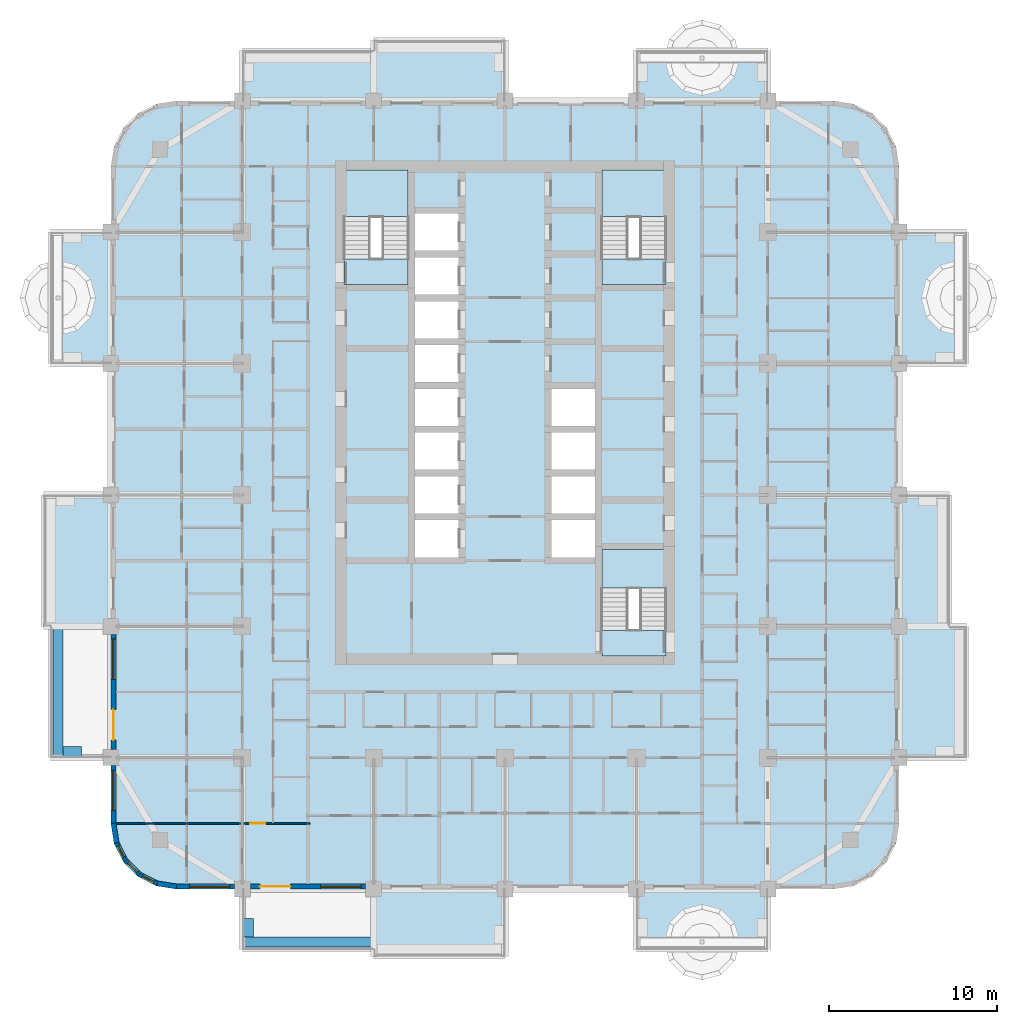
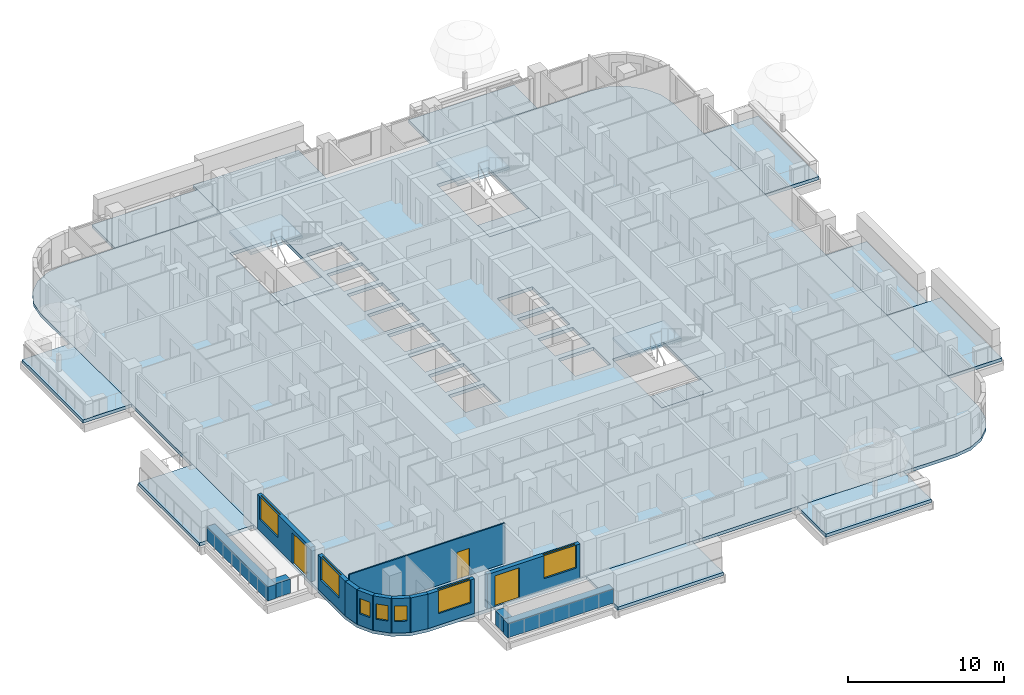
# One storey, part 2 of 19: 17 slabs, 14 walls, 7 windows, 3 doors, 10 openings, 3 elements without a shape of their own.
"""IFC4 building model written with IfcOpenShell, lengths in metres."""

from ifc_helpers import new_model, si_unit, direction, frame, frame_2d, origin, place, context, subcontext, project, spatial, polyline, rectangle, outline, extrude, material, layer, layer_set, type_object, element, fill, aggregate, save


model = new_model("IFC4")

# Units and contexts
model_context = context("Model", 3, precision=1e-05, world=origin(), true_north=direction((0.0, 1.0)))
body_context = subcontext(model_context, "Body", "Model", "MODEL_VIEW")
ifc_project = project(units=[si_unit("LENGTHUNIT", "METRE"), si_unit("AREAUNIT", "SQUARE_METRE"), si_unit("VOLUMEUNIT", "CUBIC_METRE"), si_unit("PLANEANGLEUNIT", "RADIAN"), si_unit("MASSUNIT", "GRAM", prefix="KILO")], contexts=[model_context])

# Site, building, storey
site_placement = place(None, origin())
site = spatial("IfcSite", under=ifc_project, at=site_placement, CompositionType="ELEMENT")
building_placement = place(site_placement, origin())
building = spatial("IfcBuilding", under=site, at=building_placement, Name="Ludao Terraces", CompositionType="ELEMENT")
storey_placement = place(building_placement, frame((0.0, 0.0, 68.199951171875)))
storey = spatial("IfcBuildingStorey", under=building, at=storey_placement, Name="L18", CompositionType="ELEMENT", Elevation=68.199951171875)

# Slabs
ifc_material_1 = material(Name="Concrete C40", Category="concrete")
ifc_layer_1 = layer(ifc_material_1, 0.25)
ifc_layer_set_1 = layer_set([ifc_layer_1], Name="Balcony slab 250 C40")
slab_type_1 = type_object("IfcSlabType", Name="Balcony slab 250 C40", PredefinedType="USERDEFINED", material=ifc_layer_set_1)
slab_1_placement = place(storey_placement, frame((0.0, 0.0, -0.25)))
element("IfcSlab", 1, at=slab_1_placement, inside=storey, type_object=slab_type_1, Name="Balcony L18 S2", ObjectType="BALCONY", PredefinedType="USERDEFINED", context=body_context, shape_type="SweptSolid", body=[
    extrude(outline(polyline([(77.199951171875, 37.60009765625), (85.0, 37.60009765625), (85.0, 41.60009765625), (77.199951171875, 41.60009765625), (77.199951171875, 37.60009765625)])), origin(), (0.0, 0.0, 1.0), 0.25),
])
slab_2_placement = place(storey_placement, frame((0.0, 0.0, -0.25)))
element("IfcSlab", 2, at=slab_2_placement, inside=storey, type_object=slab_type_1, Name="Balcony L18 S4", ObjectType="BALCONY", PredefinedType="USERDEFINED", context=body_context, shape_type="SweptSolid", body=[
    extrude(outline(polyline([(92.800048828125, 38.0), (100.60009765625, 38.0), (100.60009765625, 41.60009765625), (92.800048828125, 41.60009765625), (92.800048828125, 38.0)])), origin(), (0.0, 0.0, 1.0), 0.25),
])
slab_3_placement = place(storey_placement, frame((0.0, 0.0, -0.25)))
element("IfcSlab", 3, at=slab_3_placement, inside=storey, type_object=slab_type_1, Name="Balcony L18 E1", ObjectType="BALCONY", PredefinedType="USERDEFINED", context=body_context, shape_type="SweptSolid", body=[
    extrude(outline(polyline([(108.39990234375, 49.39990234375), (112.39990234375, 49.39990234375), (112.39990234375, 57.199951171875), (108.39990234375, 57.199951171875), (108.39990234375, 49.39990234375)])), origin(), (0.0, 0.0, 1.0), 0.25),
])
slab_4_placement = place(storey_placement, frame((0.0, 0.0, -0.25)))
element("IfcSlab", 4, at=slab_4_placement, inside=storey, type_object=slab_type_1, Name="Balcony L18 E2", ObjectType="BALCONY", PredefinedType="USERDEFINED", context=body_context, shape_type="SweptSolid", body=[
    extrude(outline(polyline([(108.39990234375, 57.199951171875), (111.39990234375, 57.199951171875), (111.39990234375, 65.0), (108.39990234375, 65.0), (108.39990234375, 57.199951171875)])), origin(), (0.0, 0.0, 1.0), 0.25),
])
slab_5_placement = place(storey_placement, frame((0.0, 0.0, -0.25)))
element("IfcSlab", 5, at=slab_5_placement, inside=storey, type_object=slab_type_1, Name="Balcony L18 E4", ObjectType="BALCONY", PredefinedType="USERDEFINED", context=body_context, shape_type="SweptSolid", body=[
    extrude(outline(polyline([(108.39990234375, 72.800048828125), (112.39990234375, 72.800048828125), (112.39990234375, 80.60009765625), (108.39990234375, 80.60009765625), (108.39990234375, 72.800048828125)])), origin(), (0.0, 0.0, 1.0), 0.25),
])
slab_6_placement = place(storey_placement, frame((0.0, 0.0, -0.25)))
element("IfcSlab", 6, at=slab_6_placement, inside=storey, type_object=slab_type_1, Name="Balcony L18 N1", ObjectType="BALCONY", PredefinedType="USERDEFINED", context=body_context, shape_type="SweptSolid", body=[
    extrude(outline(polyline([(69.39990234375, 88.39990234375), (77.199951171875, 88.39990234375), (77.199951171875, 91.39990234375), (69.39990234375, 91.39990234375), (69.39990234375, 88.39990234375)])), origin(), (0.0, 0.0, 1.0), 0.25),
])
slab_7_placement = place(storey_placement, frame((0.0, 0.0, -0.25)))
element("IfcSlab", 7, at=slab_7_placement, inside=storey, type_object=slab_type_1, Name="Balcony L18 N2", ObjectType="BALCONY", PredefinedType="USERDEFINED", context=body_context, shape_type="SweptSolid", body=[
    extrude(outline(polyline([(77.199951171875, 88.39990234375), (85.0, 88.39990234375), (85.0, 92.0), (77.199951171875, 92.0), (77.199951171875, 88.39990234375)])), origin(), (0.0, 0.0, 1.0), 0.25),
])
slab_8_placement = place(storey_placement, frame((0.0, 0.0, -0.25)))
element("IfcSlab", 8, at=slab_8_placement, inside=storey, type_object=slab_type_1, Name="Balcony L18 N4", ObjectType="BALCONY", PredefinedType="USERDEFINED", context=body_context, shape_type="SweptSolid", body=[
    extrude(outline(polyline([(92.800048828125, 88.39990234375), (100.60009765625, 88.39990234375), (100.60009765625, 91.39990234375), (92.800048828125, 91.39990234375), (92.800048828125, 88.39990234375)])), origin(), (0.0, 0.0, 1.0), 0.25),
])
slab_9_placement = place(storey_placement, frame((0.0, 0.0, -0.25)))
element("IfcSlab", 9, at=slab_9_placement, inside=storey, type_object=slab_type_1, Name="Balcony L18 W2", ObjectType="BALCONY", PredefinedType="USERDEFINED", context=body_context, shape_type="SweptSolid", body=[
    extrude(outline(polyline([(57.60009765625, 57.199951171875), (61.60009765625, 57.199951171875), (61.60009765625, 65.0), (57.60009765625, 65.0), (57.60009765625, 57.199951171875)])), origin(), (0.0, 0.0, 1.0), 0.25),
])
slab_10_placement = place(storey_placement, frame((0.0, 0.0, -0.25)))
element("IfcSlab", 10, at=slab_10_placement, inside=storey, type_object=slab_type_1, Name="Balcony L18 W4", ObjectType="BALCONY", PredefinedType="USERDEFINED", context=body_context, shape_type="SweptSolid", body=[
    extrude(outline(polyline([(58.0, 72.800048828125), (61.60009765625, 72.800048828125), (61.60009765625, 80.60009765625), (58.0, 80.60009765625), (58.0, 72.800048828125)])), origin(), (0.0, 0.0, 1.0), 0.25),
])
ifc_layer_2 = layer(ifc_material_1, 0.25)
ifc_layer_set_2 = layer_set([ifc_layer_2], Name="Floor slab 250 C40")
slab_type_2 = type_object("IfcSlabType", Name="Floor slab 250 C40", PredefinedType="FLOOR", material=ifc_layer_set_2)
slab_11_placement = place(storey_placement, frame((0.0, 0.0, -0.25)))
element("IfcSlab", 11, at=slab_11_placement, inside=storey, type_object=slab_type_2, Name="Slab L18", PredefinedType="FLOOR", context=body_context, shape_type="SweptSolid", body=[
    extrude(outline(polyline([(104.5, 41.60009765625), (105.705078125, 41.790771484375), (106.79248046875, 42.3447265625), (107.6552734375, 43.20751953125), (108.209228515625, 44.294921875), (108.39990234375, 45.5), (108.39990234375, 84.5), (108.209228515625, 85.705078125), (107.6552734375, 86.79248046875), (106.79248046875, 87.6552734375), (105.705078125, 88.209228515625), (104.5, 88.39990234375), (65.5, 88.39990234375), (64.294921875, 88.209228515625), (63.20751953125, 87.6552734375), (62.3447265625, 86.79248046875), (61.790771484375, 85.705078125), (61.60009765625, 84.5), (61.60009765625, 45.5), (61.790771484375, 44.294921875), (62.3447265625, 43.20751953125), (63.20751953125, 42.3447265625), (64.294921875, 41.790771484375), (65.5, 41.60009765625), (104.5, 41.60009765625)]), holes=[polyline([(79.64990234375, 61.300048828125), (82.25, 61.300048828125), (82.25, 63.5), (79.64990234375, 63.5), (79.64990234375, 61.300048828125)]), polyline([(79.64990234375, 63.89990234375), (82.25, 63.89990234375), (82.25, 66.10009765625), (79.64990234375, 66.10009765625), (79.64990234375, 63.89990234375)]), polyline([(79.64990234375, 66.5), (82.25, 66.5), (82.25, 68.699951171875), (79.64990234375, 68.699951171875), (79.64990234375, 66.5)]), polyline([(79.64990234375, 69.10009765625), (82.25, 69.10009765625), (82.25, 71.300048828125), (79.64990234375, 71.300048828125), (79.64990234375, 69.10009765625)]), polyline([(79.64990234375, 71.699951171875), (82.25, 71.699951171875), (82.25, 73.89990234375), (79.64990234375, 73.89990234375), (79.64990234375, 71.699951171875)]), polyline([(79.64990234375, 74.300048828125), (82.25, 74.300048828125), (82.25, 76.5), (79.64990234375, 76.5), (79.64990234375, 74.300048828125)]), polyline([(79.64990234375, 76.89990234375), (82.25, 76.89990234375), (82.25, 79.10009765625), (79.64990234375, 79.10009765625), (79.64990234375, 76.89990234375)]), polyline([(79.64990234375, 79.5), (82.25, 79.5), (82.25, 81.699951171875), (79.64990234375, 81.699951171875), (79.64990234375, 79.5)]), polyline([(87.75, 61.300048828125), (90.35009765625, 61.300048828125), (90.35009765625, 63.5), (87.75, 63.5), (87.75, 61.300048828125)]), polyline([(87.75, 63.89990234375), (90.35009765625, 63.89990234375), (90.35009765625, 66.10009765625), (87.75, 66.10009765625), (87.75, 63.89990234375)]), polyline([(87.75, 66.5), (90.35009765625, 66.5), (90.35009765625, 68.699951171875), (87.75, 68.699951171875), (87.75, 66.5)]), polyline([(87.75, 69.10009765625), (90.35009765625, 69.10009765625), (90.35009765625, 71.300048828125), (87.75, 71.300048828125), (87.75, 69.10009765625)]), polyline([(75.449951171875, 77.5), (79.25, 77.5), (79.25, 84.239990234375), (75.449951171875, 84.239990234375), (75.449951171875, 77.5)]), polyline([(90.75, 77.5), (94.550048828125, 77.5), (94.550048828125, 84.239990234375), (90.75, 84.239990234375), (90.75, 77.5)]), polyline([(90.75, 55.449951171875), (94.550048828125, 55.449951171875), (94.550048828125, 61.75), (90.75, 61.75), (90.75, 55.449951171875)])]), origin(), (0.0, 0.0, 1.0), 0.25),
])

# Stair, slabs
stair_type = type_object("IfcStairType", Name="INT Stair", PredefinedType="HALF_TURN_STAIR", material=ifc_material_1)
stair_1_placement = place(storey_placement, origin())
stair_1 = element("IfcStair", 12, at=stair_1_placement, inside=storey, type_object=stair_type, Name="EXIT STAIR 1", PredefinedType="HALF_TURN_STAIR")
ifc_layer_3 = layer(ifc_material_1, 0.199951171875)
ifc_layer_set_3 = layer_set([ifc_layer_3], Name="INT Stair landing 200")
slab_type_3 = type_object("IfcSlabType", Name="INT Stair landing 200", PredefinedType="LANDING", material=ifc_layer_set_3)
slab_12_placement = place(storey_placement, frame((0.0, 0.0, 1.5)))
slab_12 = element("IfcSlab", 13, at=slab_12_placement, type_object=slab_type_3, Name="ST1 landing 1", PredefinedType="LANDING", context=body_context, shape_type="SweptSolid", body=[
    extrude(outline(polyline([(75.449951171875, 81.52001953125), (79.25, 81.52001953125), (79.25, 84.300048828125), (75.449951171875, 84.300048828125), (75.449951171875, 81.52001953125)])), origin(), (0.0, 0.0, 1.0), 0.199951171875),
])
slab_13_placement = place(storey_placement, frame((0.0, 0.0, -0.199951171875)))
slab_13 = element("IfcSlab", 14, at=slab_13_placement, type_object=slab_type_3, Name="ST1 landing 2", PredefinedType="LANDING", context=body_context, shape_type="SweptSolid", body=[
    extrude(outline(polyline([(75.449951171875, 77.5), (79.25, 77.5), (79.25, 79.0), (75.449951171875, 79.0), (75.449951171875, 77.5)])), origin(), (0.0, 0.0, 1.0), 0.199951171875),
])
aggregate(stair_1, [slab_12, slab_13])

stair_2_placement = place(storey_placement, origin())
stair_2 = element("IfcStair", 15, at=stair_2_placement, inside=storey, type_object=stair_type, Name="EXIT STAIR 2", PredefinedType="HALF_TURN_STAIR")
slab_14_placement = place(storey_placement, frame((0.0, 0.0, 1.5)))
slab_14 = element("IfcSlab", 16, at=slab_14_placement, type_object=slab_type_3, Name="ST2 landing 1", PredefinedType="LANDING", context=body_context, shape_type="SweptSolid", body=[
    extrude(outline(polyline([(90.75, 81.52001953125), (94.550048828125, 81.52001953125), (94.550048828125, 84.300048828125), (90.75, 84.300048828125), (90.75, 81.52001953125)])), origin(), (0.0, 0.0, 1.0), 0.199951171875),
])
slab_15_placement = place(storey_placement, frame((0.0, 0.0, -0.199951171875)))
slab_15 = element("IfcSlab", 17, at=slab_15_placement, type_object=slab_type_3, Name="ST2 landing 2", PredefinedType="LANDING", context=body_context, shape_type="SweptSolid", body=[
    extrude(outline(polyline([(90.75, 77.5), (94.550048828125, 77.5), (94.550048828125, 79.0), (90.75, 79.0), (90.75, 77.5)])), origin(), (0.0, 0.0, 1.0), 0.199951171875),
])
aggregate(stair_2, [slab_14, slab_15])

stair_3_placement = place(storey_placement, origin())
stair_3 = element("IfcStair", 18, at=stair_3_placement, inside=storey, type_object=stair_type, Name="EXIT STAIR 3", PredefinedType="HALF_TURN_STAIR")
slab_16_placement = place(storey_placement, frame((0.0, 0.0, 1.5)))
slab_16 = element("IfcSlab", 19, at=slab_16_placement, type_object=slab_type_3, Name="ST3 landing 1", PredefinedType="LANDING", context=body_context, shape_type="SweptSolid", body=[
    extrude(outline(polyline([(90.75, 59.469970703125), (94.550048828125, 59.469970703125), (94.550048828125, 61.75), (90.75, 61.75), (90.75, 59.469970703125)])), origin(), (0.0, 0.0, 1.0), 0.199951171875),
])
slab_17_placement = place(storey_placement, frame((0.0, 0.0, -0.199951171875)))
slab_17 = element("IfcSlab", 20, at=slab_17_placement, type_object=slab_type_3, Name="ST3 landing 2", PredefinedType="LANDING", context=body_context, shape_type="SweptSolid", body=[
    extrude(outline(polyline([(90.75, 55.449951171875), (94.550048828125, 55.449951171875), (94.550048828125, 56.949951171875), (90.75, 56.949951171875), (90.75, 55.449951171875)])), origin(), (0.0, 0.0, 1.0), 0.199951171875),
])
aggregate(stair_3, [slab_16, slab_17])

# Walls
ifc_layer_4 = layer(ifc_material_1, 0.60009765625)
ifc_layer_set_4 = layer_set([ifc_layer_4], Name="ENV Planter trough 600")
wall_type_1 = type_object("IfcWallType", Name="ENV Planter trough 600", PredefinedType="USERDEFINED", material=ifc_layer_set_4)
wall_1_placement = place(storey_placement, frame((69.39990234375, 38.449951171875, 0.0), z_axis=(0.0, 0.0, 1.0), x_axis=(1.0, 0.0, 0.0)))
element("IfcWall", 21, at=wall_1_placement, inside=storey, type_object=wall_type_1, Name="PL-L18-S1", ObjectType="PLANTER", PredefinedType="USERDEFINED", context=body_context, shape_type="SweptSolid", body=[
    extrude(rectangle(XDim=7.800048828125, YDim=0.60009765625, at=frame_2d((3.89990234375, 0.0))), origin(), (0.0, 0.0, 1.0), 1.10009765625),
])
wall_2_placement = place(storey_placement, frame((69.75, 38.75, 0.0), z_axis=(0.0, 0.0, 1.0), x_axis=(0.0, 1.0, 0.0)))
element("IfcWall", 22, at=wall_2_placement, inside=storey, type_object=wall_type_1, Name="PL-L18-S1-SA", ObjectType="PLANTER", PredefinedType="USERDEFINED", context=body_context, shape_type="SweptSolid", body=[
    extrude(rectangle(XDim=1.10009765625, YDim=0.60009765625, at=frame_2d((0.550048828125, 0.0))), origin(), (0.0, 0.0, 1.0), 1.10009765625),
])
wall_3_placement = place(storey_placement, frame((58.449951171875, 49.39990234375, 0.0), z_axis=(0.0, 0.0, 1.0), x_axis=(0.0, 1.0, 0.0)))
element("IfcWall", 23, at=wall_3_placement, inside=storey, type_object=wall_type_1, Name="PL-L18-W1", ObjectType="PLANTER", PredefinedType="USERDEFINED", context=body_context, shape_type="SweptSolid", body=[
    extrude(rectangle(XDim=7.800048828125, YDim=0.60009765625, at=frame_2d((3.89990234375, 0.0))), origin(), (0.0, 0.0, 1.0), 1.10009765625),
])
wall_4_placement = place(storey_placement, frame((58.75, 49.75, 0.0), z_axis=(0.0, 0.0, 1.0), x_axis=(1.0, 0.0, 0.0)))
element("IfcWall", 24, at=wall_4_placement, inside=storey, type_object=wall_type_1, Name="PL-L18-W1-SA", ObjectType="PLANTER", PredefinedType="USERDEFINED", context=body_context, shape_type="SweptSolid", body=[
    extrude(rectangle(XDim=1.10009765625, YDim=0.60009765625, at=frame_2d((0.550048828125, 0.0))), origin(), (0.0, 0.0, 1.0), 1.10009765625),
])

# Wall, opening, window
ifc_material_2 = material(Name="Granite cladding", Category="masonry")
ifc_layer_5 = layer(ifc_material_2, 0.0400390625, Category="stone")
ifc_material_3 = material(Name="Mineral wool")
ifc_layer_6 = layer(ifc_material_3, 0.06005859375)
ifc_layer_7 = layer(ifc_material_1, 0.199951171875, Category="concrete")
ifc_layer_set_5 = layer_set([ifc_layer_5, ifc_layer_6, ifc_layer_7], Name="ENV Stone-clad wall 300")
wall_type_2 = type_object("IfcWallType", Name="ENV Stone-clad wall 300", PredefinedType="SOLIDWALL", material=ifc_layer_set_5)
wall_5_placement = place(storey_placement, frame((65.5, 41.75, 0.0), z_axis=(0.0, 0.0, 1.0), x_axis=(1.0, 0.0, 0.0)))
wall_5 = element("IfcWall", 25, at=wall_5_placement, inside=storey, type_object=wall_type_2, Name="EW-L18-S1", PredefinedType="SOLIDWALL", context=body_context, shape_type="SweptSolid", body=[
    extrude(rectangle(XDim=3.425048828125, YDim=0.300048828125, at=frame_2d((1.71240234375, 0.0))), origin(), (0.0, 0.0, 1.0), 2.699951171875),
])
opening_1_placement = place(wall_5_placement, frame((0.75, 0.0, 0.89990234375)))
opening_1 = element("IfcOpeningElement", 26, at=opening_1_placement, cuts=wall_5, Name="Opening W1", PredefinedType="OPENING", context=body_context, shape_type="SweptSolid", body=[
    extrude(rectangle(XDim=2.39990234375, YDim=1.800048828125, at=frame_2d((1.199951171875, 0.89990234375))), frame((0.0, 0.16015625, 0.0), z_axis=(0.0, -1.0, 0.0), x_axis=(1.0, 0.0, 0.0)), (0.0, 0.0, 1.0), 0.320068359375),
])
ifc_material_4 = material(Name="Clear glass in aluminium frame", Category="aluminium")
ifc_layer_8 = layer(ifc_material_4, 0.06005859375)
ifc_layer_set_6 = layer_set([ifc_layer_8], Name="ENV Window W1 2400x1800")
window_type_1 = type_object("IfcWindowType", Name="ENV Window W1 2400x1800", PartitioningType="DOUBLE_PANEL_VERTICAL", PredefinedType="WINDOW", material=ifc_layer_set_6)
window_1_placement = place(opening_1_placement, origin())
window_1 = element("IfcWindow", 27, at=window_1_placement, inside=storey, type_object=window_type_1, Name="W-L18-S1-1", OverallHeight=1.800048828125, OverallWidth=2.39990234375, PartitioningType="DOUBLE_PANEL_VERTICAL", PredefinedType="WINDOW", context=body_context, shape_type="SweptSolid", body=[
    extrude(rectangle(XDim=2.39990234375, YDim=1.800048828125, at=frame_2d((1.199951171875, 0.89990234375))), frame((0.0, 0.030029296875, 0.0), z_axis=(0.0, -1.0, 0.0), x_axis=(1.0, 0.0, 0.0)), (0.0, 0.0, 1.0), 0.06005859375),
])
fill(opening_1, window_1)

# Wall, openings, door, window
wall_6_placement = place(storey_placement, frame((69.875, 41.75, 0.0), z_axis=(0.0, 0.0, 1.0), x_axis=(1.0, 0.0, 0.0)))
wall_6 = element("IfcWall", 28, at=wall_6_placement, inside=storey, type_object=wall_type_2, Name="EW-L18-S2", PredefinedType="SOLIDWALL", context=body_context, shape_type="SweptSolid", body=[
    extrude(rectangle(XDim=6.85009765625, YDim=0.300048828125, at=frame_2d((3.425048828125, 0.0))), origin(), (0.0, 0.0, 1.0), 2.699951171875),
])
opening_2_placement = place(wall_6_placement, frame((0.574951171875, 0.0, 0.0)))
opening_2 = element("IfcOpeningElement", 29, at=opening_2_placement, cuts=wall_6, Name="Opening BD", PredefinedType="OPENING", context=body_context, shape_type="SweptSolid", body=[
    extrude(rectangle(XDim=1.800048828125, YDim=2.39990234375, at=frame_2d((0.89990234375, 1.199951171875))), frame((0.0, 0.16015625, 0.0), z_axis=(0.0, -1.0, 0.0), x_axis=(1.0, 0.0, 0.0)), (0.0, 0.0, 1.0), 0.320068359375),
])
opening_3_placement = place(wall_6_placement, frame((4.175048828125, 0.0, 0.89990234375)))
opening_3 = element("IfcOpeningElement", 30, at=opening_3_placement, cuts=wall_6, Name="Opening W1", PredefinedType="OPENING", context=body_context, shape_type="SweptSolid", body=[
    extrude(rectangle(XDim=2.39990234375, YDim=1.800048828125, at=frame_2d((1.199951171875, 0.89990234375))), frame((0.0, 0.16015625, 0.0), z_axis=(0.0, -1.0, 0.0), x_axis=(1.0, 0.0, 0.0)), (0.0, 0.0, 1.0), 0.320068359375),
])
ifc_material_5 = material(Name="Aluminium glazed door", Category="aluminium")
ifc_layer_9 = layer(ifc_material_5, 0.06005859375)
ifc_layer_set_7 = layer_set([ifc_layer_9], Name="ENV Balcony door BD 1800x2400")
door_type_1 = type_object("IfcDoorType", Name="ENV Balcony door BD 1800x2400", OperationType="DOUBLE_DOOR_SINGLE_SWING", PredefinedType="DOOR", material=ifc_layer_set_7)
door_1_placement = place(opening_2_placement, origin())
door_1 = element("IfcDoor", 31, at=door_1_placement, inside=storey, type_object=door_type_1, Name="BD-L18-S2-1", OperationType="DOUBLE_DOOR_SINGLE_SWING", OverallHeight=2.39990234375, OverallWidth=1.800048828125, PredefinedType="DOOR", context=body_context, shape_type="SweptSolid", body=[
    extrude(rectangle(XDim=1.800048828125, YDim=2.39990234375, at=frame_2d((0.89990234375, 1.199951171875))), frame((0.0, 0.02490234375, 0.0), z_axis=(0.0, -1.0, 0.0), x_axis=(1.0, 0.0, 0.0)), (0.0, 0.0, 1.0), 0.050048828125),
])
fill(opening_2, door_1)
window_2_placement = place(opening_3_placement, origin())
window_2 = element("IfcWindow", 32, at=window_2_placement, inside=storey, type_object=window_type_1, Name="W-L18-S2-2", OverallHeight=1.800048828125, OverallWidth=2.39990234375, PartitioningType="DOUBLE_PANEL_VERTICAL", PredefinedType="WINDOW", context=body_context, shape_type="SweptSolid", body=[
    extrude(rectangle(XDim=2.39990234375, YDim=1.800048828125, at=frame_2d((1.199951171875, 0.89990234375))), frame((0.0, 0.030029296875, 0.0), z_axis=(0.0, -1.0, 0.0), x_axis=(1.0, 0.0, 0.0)), (0.0, 0.0, 1.0), 0.06005859375),
])
fill(opening_3, window_2)

# Wall, opening, window
wall_7_placement = place(storey_placement, frame((61.75, 45.5, 0.0), z_axis=(0.0, 0.0, 1.0), x_axis=(0.0, 1.0, 0.0)))
wall_7 = element("IfcWall", 33, at=wall_7_placement, inside=storey, type_object=wall_type_2, Name="EW-L18-W1", PredefinedType="SOLIDWALL", context=body_context, shape_type="SweptSolid", body=[
    extrude(rectangle(XDim=3.425048828125, YDim=0.300048828125, at=frame_2d((1.71240234375, 0.0))), origin(), (0.0, 0.0, 1.0), 2.699951171875),
])
opening_4_placement = place(wall_7_placement, frame((0.75, 0.0, 0.89990234375)))
opening_4 = element("IfcOpeningElement", 34, at=opening_4_placement, cuts=wall_7, Name="Opening W1", PredefinedType="OPENING", context=body_context, shape_type="SweptSolid", body=[
    extrude(rectangle(XDim=2.39990234375, YDim=1.800048828125, at=frame_2d((1.199951171875, 0.89990234375))), frame((0.0, 0.16015625, 0.0), z_axis=(0.0, -1.0, 0.0), x_axis=(1.0, 0.0, 0.0)), (0.0, 0.0, 1.0), 0.320068359375),
])
window_3_placement = place(opening_4_placement, origin())
window_3 = element("IfcWindow", 35, at=window_3_placement, inside=storey, type_object=window_type_1, Name="W-L18-W1-1", OverallHeight=1.800048828125, OverallWidth=2.39990234375, PartitioningType="DOUBLE_PANEL_VERTICAL", PredefinedType="WINDOW", context=body_context, shape_type="SweptSolid", body=[
    extrude(rectangle(XDim=2.39990234375, YDim=1.800048828125, at=frame_2d((1.199951171875, 0.89990234375))), frame((0.0, 0.030029296875, 0.0), z_axis=(0.0, -1.0, 0.0), x_axis=(1.0, 0.0, 0.0)), (0.0, 0.0, 1.0), 0.06005859375),
])
fill(opening_4, window_3)

# Wall, openings, door, window
wall_8_placement = place(storey_placement, frame((61.75, 49.875, 0.0), z_axis=(0.0, 0.0, 1.0), x_axis=(0.0, 1.0, 0.0)))
wall_8 = element("IfcWall", 36, at=wall_8_placement, inside=storey, type_object=wall_type_2, Name="EW-L18-W2", PredefinedType="SOLIDWALL", context=body_context, shape_type="SweptSolid", body=[
    extrude(rectangle(XDim=6.85009765625, YDim=0.300048828125, at=frame_2d((3.425048828125, 0.0))), origin(), (0.0, 0.0, 1.0), 2.699951171875),
])
opening_5_placement = place(wall_8_placement, frame((0.574951171875, 0.0, 0.0)))
opening_5 = element("IfcOpeningElement", 37, at=opening_5_placement, cuts=wall_8, Name="Opening BD", PredefinedType="OPENING", context=body_context, shape_type="SweptSolid", body=[
    extrude(rectangle(XDim=1.800048828125, YDim=2.39990234375, at=frame_2d((0.89990234375, 1.199951171875))), frame((0.0, 0.16015625, 0.0), z_axis=(0.0, -1.0, 0.0), x_axis=(1.0, 0.0, 0.0)), (0.0, 0.0, 1.0), 0.320068359375),
])
opening_6_placement = place(wall_8_placement, frame((4.175048828125, 0.0, 0.89990234375)))
opening_6 = element("IfcOpeningElement", 38, at=opening_6_placement, cuts=wall_8, Name="Opening W1", PredefinedType="OPENING", context=body_context, shape_type="SweptSolid", body=[
    extrude(rectangle(XDim=2.39990234375, YDim=1.800048828125, at=frame_2d((1.199951171875, 0.89990234375))), frame((0.0, 0.16015625, 0.0), z_axis=(0.0, -1.0, 0.0), x_axis=(1.0, 0.0, 0.0)), (0.0, 0.0, 1.0), 0.320068359375),
])
door_2_placement = place(opening_5_placement, origin())
door_2 = element("IfcDoor", 39, at=door_2_placement, inside=storey, type_object=door_type_1, Name="BD-L18-W2-1", OperationType="DOUBLE_DOOR_SINGLE_SWING", OverallHeight=2.39990234375, OverallWidth=1.800048828125, PredefinedType="DOOR", context=body_context, shape_type="SweptSolid", body=[
    extrude(rectangle(XDim=1.800048828125, YDim=2.39990234375, at=frame_2d((0.89990234375, 1.199951171875))), frame((0.0, 0.02490234375, 0.0), z_axis=(0.0, -1.0, 0.0), x_axis=(1.0, 0.0, 0.0)), (0.0, 0.0, 1.0), 0.050048828125),
])
fill(opening_5, door_2)
window_4_placement = place(opening_6_placement, origin())
window_4 = element("IfcWindow", 40, at=window_4_placement, inside=storey, type_object=window_type_1, Name="W-L18-W2-2", OverallHeight=1.800048828125, OverallWidth=2.39990234375, PartitioningType="DOUBLE_PANEL_VERTICAL", PredefinedType="WINDOW", context=body_context, shape_type="SweptSolid", body=[
    extrude(rectangle(XDim=2.39990234375, YDim=1.800048828125, at=frame_2d((1.199951171875, 0.89990234375))), frame((0.0, 0.030029296875, 0.0), z_axis=(0.0, -1.0, 0.0), x_axis=(1.0, 0.0, 0.0)), (0.0, 0.0, 1.0), 0.06005859375),
])
fill(opening_6, window_4)

# Wall
wall_9_placement = place(storey_placement, frame((61.75, 45.5, 0.0), z_axis=(0.0, 0.0, 1.0), x_axis=(0.156496880861, -0.987678452879, 0.0)))
element("IfcWall", 41, at=wall_9_placement, inside=storey, type_object=wall_type_2, Name="EW-L18-SW1", PredefinedType="SOLIDWALL", context=body_context, shape_type="SweptSolid", body=[
    extrude(rectangle(XDim=1.173095703125, YDim=0.300048828125, at=frame_2d((0.58642578125, 0.0))), origin(), (0.0, 0.0, 1.0), 2.699951171875),
])

# Wall, opening, window
wall_10_placement = place(storey_placement, frame((61.93359375, 44.34130859375, 0.0), z_axis=(0.0, 0.0, 1.0), x_axis=(0.454025524128, -0.890988677504, 0.0)))
wall_10 = element("IfcWall", 42, at=wall_10_placement, inside=storey, type_object=wall_type_2, Name="EW-L18-SW2", PredefinedType="SOLIDWALL", context=body_context, shape_type="SweptSolid", body=[
    extrude(rectangle(XDim=1.17333984375, YDim=0.300048828125, at=frame_2d((0.586669921875, 0.0))), origin(), (0.0, 0.0, 1.0), 2.699951171875),
])
opening_7_placement = place(wall_10_placement, frame((0.1865234375, 0.0, 0.89990234375)))
opening_7 = element("IfcOpeningElement", 43, at=opening_7_placement, cuts=wall_10, Name="Opening W3", PredefinedType="OPENING", context=body_context, shape_type="SweptSolid", body=[
    extrude(rectangle(XDim=0.800048828125, YDim=1.199951171875, at=frame_2d((0.39990234375, 0.60009765625))), frame((0.0, 0.16015625, 0.0), z_axis=(0.0, -1.0, 0.0), x_axis=(1.0, 0.0, 0.0)), (0.0, 0.0, 1.0), 0.320068359375),
])
ifc_layer_10 = layer(ifc_material_4, 0.06005859375)
ifc_layer_set_8 = layer_set([ifc_layer_10], Name="ENV Window W3 800x1200")
window_type_2 = type_object("IfcWindowType", Name="ENV Window W3 800x1200", PartitioningType="SINGLE_PANEL", PredefinedType="WINDOW", material=ifc_layer_set_8)
window_5_placement = place(opening_7_placement, origin())
window_5 = element("IfcWindow", 44, at=window_5_placement, inside=storey, type_object=window_type_2, Name="W-L18-SW2", OverallHeight=1.199951171875, OverallWidth=0.800048828125, PartitioningType="SINGLE_PANEL", PredefinedType="WINDOW", context=body_context, shape_type="SweptSolid", body=[
    extrude(rectangle(XDim=0.800048828125, YDim=1.199951171875, at=frame_2d((0.39990234375, 0.60009765625))), frame((0.0, 0.030029296875, 0.0), z_axis=(0.0, -1.0, 0.0), x_axis=(1.0, 0.0, 0.0)), (0.0, 0.0, 1.0), 0.06005859375),
])
fill(opening_7, window_5)

wall_11_placement = place(storey_placement, frame((62.46630859375, 43.2958984375, 0.0), z_axis=(0.0, 0.0, 1.0), x_axis=(0.707106781187, -0.707106781187, 0.0)))
wall_11 = element("IfcWall", 45, at=wall_11_placement, inside=storey, type_object=wall_type_2, Name="EW-L18-SW3", PredefinedType="SOLIDWALL", context=body_context, shape_type="SweptSolid", body=[
    extrude(rectangle(XDim=1.173095703125, YDim=0.300048828125, at=frame_2d((0.58642578125, 0.0))), origin(), (0.0, 0.0, 1.0), 2.699951171875),
])
opening_8_placement = place(wall_11_placement, frame((0.1865234375, 0.0, 0.89990234375)))
opening_8 = element("IfcOpeningElement", 46, at=opening_8_placement, cuts=wall_11, Name="Opening W3", PredefinedType="OPENING", context=body_context, shape_type="SweptSolid", body=[
    extrude(rectangle(XDim=0.800048828125, YDim=1.199951171875, at=frame_2d((0.39990234375, 0.60009765625))), frame((0.0, 0.16015625, 0.0), z_axis=(0.0, -1.0, 0.0), x_axis=(1.0, 0.0, 0.0)), (0.0, 0.0, 1.0), 0.320068359375),
])
window_6_placement = place(opening_8_placement, origin())
window_6 = element("IfcWindow", 47, at=window_6_placement, inside=storey, type_object=window_type_2, Name="W-L18-SW3", OverallHeight=1.199951171875, OverallWidth=0.800048828125, PartitioningType="SINGLE_PANEL", PredefinedType="WINDOW", context=body_context, shape_type="SweptSolid", body=[
    extrude(rectangle(XDim=0.800048828125, YDim=1.199951171875, at=frame_2d((0.39990234375, 0.60009765625))), frame((0.0, 0.030029296875, 0.0), z_axis=(0.0, -1.0, 0.0), x_axis=(1.0, 0.0, 0.0)), (0.0, 0.0, 1.0), 0.06005859375),
])
fill(opening_8, window_6)

wall_12_placement = place(storey_placement, frame((63.2958984375, 42.46630859375, 0.0), z_axis=(0.0, 0.0, 1.0), x_axis=(0.890988677504, -0.454025524128, 0.0)))
wall_12 = element("IfcWall", 48, at=wall_12_placement, inside=storey, type_object=wall_type_2, Name="EW-L18-SW4", PredefinedType="SOLIDWALL", context=body_context, shape_type="SweptSolid", body=[
    extrude(rectangle(XDim=1.17333984375, YDim=0.300048828125, at=frame_2d((0.586669921875, 0.0))), origin(), (0.0, 0.0, 1.0), 2.699951171875),
])
opening_9_placement = place(wall_12_placement, frame((0.1865234375, 0.0, 0.89990234375)))
opening_9 = element("IfcOpeningElement", 49, at=opening_9_placement, cuts=wall_12, Name="Opening W3", PredefinedType="OPENING", context=body_context, shape_type="SweptSolid", body=[
    extrude(rectangle(XDim=0.800048828125, YDim=1.199951171875, at=frame_2d((0.39990234375, 0.60009765625))), frame((0.0, 0.16015625, 0.0), z_axis=(0.0, -1.0, 0.0), x_axis=(1.0, 0.0, 0.0)), (0.0, 0.0, 1.0), 0.320068359375),
])
window_7_placement = place(opening_9_placement, origin())
window_7 = element("IfcWindow", 50, at=window_7_placement, inside=storey, type_object=window_type_2, Name="W-L18-SW4", OverallHeight=1.199951171875, OverallWidth=0.800048828125, PartitioningType="SINGLE_PANEL", PredefinedType="WINDOW", context=body_context, shape_type="SweptSolid", body=[
    extrude(rectangle(XDim=0.800048828125, YDim=1.199951171875, at=frame_2d((0.39990234375, 0.60009765625))), frame((0.0, 0.030029296875, 0.0), z_axis=(0.0, -1.0, 0.0), x_axis=(1.0, 0.0, 0.0)), (0.0, 0.0, 1.0), 0.06005859375),
])
fill(opening_9, window_7)

# Wall
wall_13_placement = place(storey_placement, frame((64.34130859375, 41.93359375, 0.0), z_axis=(0.0, 0.0, 1.0), x_axis=(0.987678452879, -0.156496880861, 0.0)))
element("IfcWall", 51, at=wall_13_placement, inside=storey, type_object=wall_type_2, Name="EW-L18-SW5", PredefinedType="SOLIDWALL", context=body_context, shape_type="SweptSolid", body=[
    extrude(rectangle(XDim=1.173095703125, YDim=0.300048828125, at=frame_2d((0.58642578125, 0.0))), origin(), (0.0, 0.0, 1.0), 2.699951171875),
])

# Wall, opening, door
ifc_material_6 = material(Name="Gypsum plasterboard", Category="gypsum")
ifc_layer_11 = layer(ifc_material_6, 0.012451171875, Category="gypsum")
ifc_layer_12 = layer(ifc_material_3, 0.06005859375, Name="insulation")
ifc_material_7 = material(Name="Steel Q235", Category="steel")
ifc_layer_13 = layer(ifc_material_7, 0.014892578125, Name="stud")
ifc_layer_14 = layer(ifc_material_6, 0.012451171875, Category="gypsum")
ifc_layer_set_9 = layer_set([ifc_layer_11, ifc_layer_12, ifc_layer_13, ifc_layer_14], Name="INT Partition 100")
wall_type_3 = type_object("IfcWallType", Name="INT Partition 100", PredefinedType="PARTITIONING", material=ifc_layer_set_9)
wall_14_placement = place(storey_placement, frame((61.900146484375, 45.5, 0.0), z_axis=(0.0, 0.0, 1.0), x_axis=(1.0, 0.0, 0.0)))
wall_14 = element("IfcWall", 52, at=wall_14_placement, inside=storey, type_object=wall_type_3, Name="PW-L18-PW000", PredefinedType="PARTITIONING", context=body_context, shape_type="SweptSolid", body=[
    extrude(rectangle(XDim=11.5, YDim=0.10009765625, at=frame_2d((5.75, 0.0))), origin(), (0.0, 0.0, 1.0), 3.150146484375),
])
opening_10_placement = place(wall_14_placement, frame((7.965087890625, 0.0, 0.0)))
opening_10 = element("IfcOpeningElement", 53, at=opening_10_placement, cuts=wall_14, Name="Opening R05-005", PredefinedType="OPENING", context=body_context, shape_type="SweptSolid", body=[
    extrude(rectangle(XDim=0.89990234375, YDim=2.10009765625, at=frame_2d((0.449951171875, 1.050048828125))), frame((0.0, 0.06005859375, 0.0), z_axis=(0.0, -1.0, 0.0), x_axis=(1.0, 0.0, 0.0)), (0.0, 0.0, 1.0), 0.1201171875),
])
ifc_material_8 = material(Name="Timber door leaf", Category="wood")
door_type_2 = type_object("IfcDoorType", Name="INT Room door 900", OperationType="SINGLE_SWING_LEFT", PredefinedType="DOOR", material=ifc_material_8)
door_3_placement = place(opening_10_placement, origin())
door_3 = element("IfcDoor", 54, at=door_3_placement, inside=storey, type_object=door_type_2, Name="DOOR 005", OperationType="SINGLE_SWING_LEFT", OverallHeight=2.10009765625, OverallWidth=0.89990234375, PredefinedType="DOOR", context=body_context, shape_type="SweptSolid", body=[
    extrude(rectangle(XDim=0.89990234375, YDim=2.10009765625, at=frame_2d((0.449951171875, 1.050048828125))), frame((0.0, 0.02490234375, 0.0), z_axis=(0.0, -1.0, 0.0), x_axis=(1.0, 0.0, 0.0)), (0.0, 0.0, 1.0), 0.050048828125),
])
fill(opening_10, door_3)

save(model, "model.ifc")
